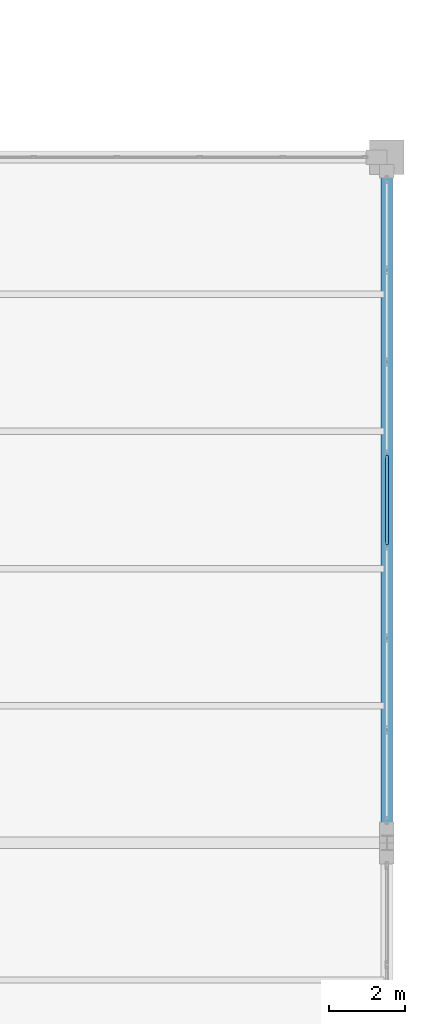
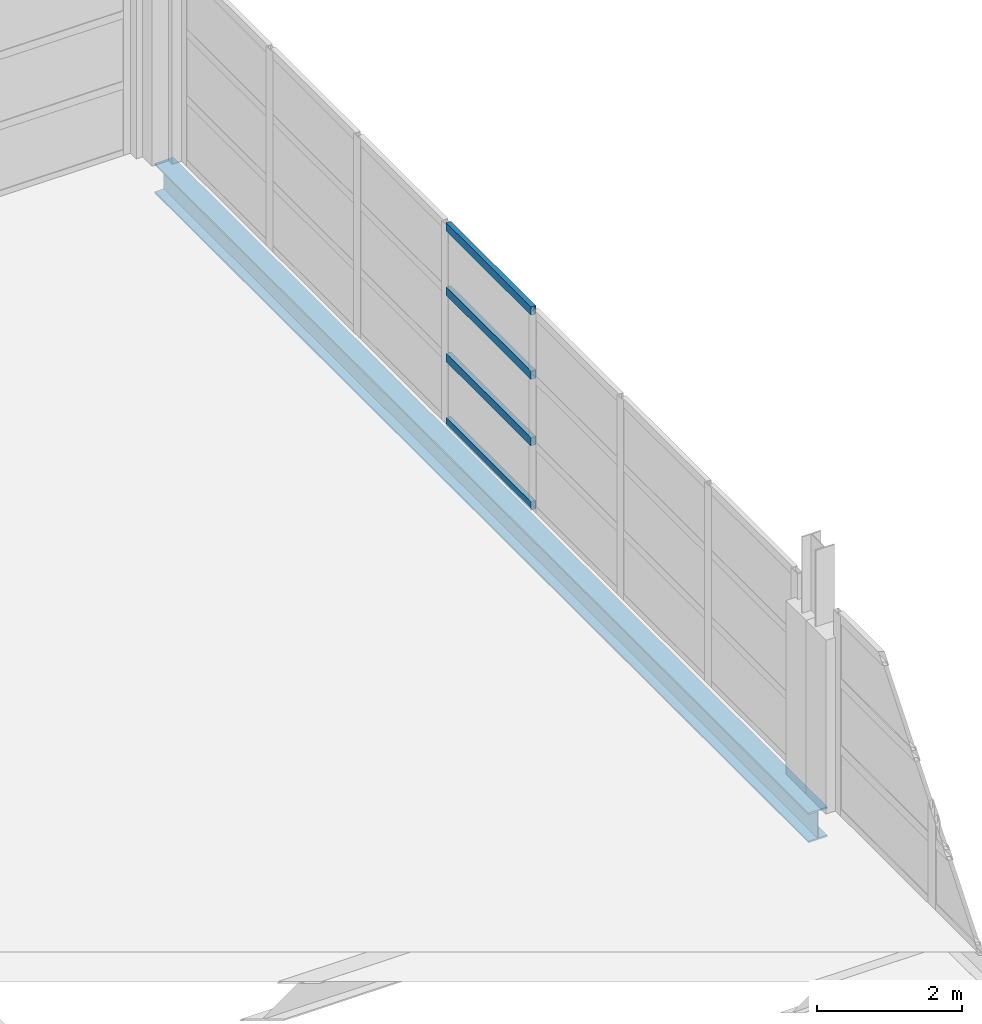
# One storey, part 123 of 158: 4 members, 1 beam, 1 element without a shape of its own.
"""IFC4 building model written with IfcOpenShell, lengths in metres."""

from ifc_helpers import new_model, si_unit, direction, frame, origin, origin_2d, place, context, subcontext, project, spatial, hollow_rectangle, i_section, extrude, material, layer, layer_set, material_profile, profile_set, type_object, element, aggregate, save


model = new_model("IFC4")

# Units and contexts
model_context = context("Model", 3, precision=1e-05, world=origin(), true_north=direction((0.0, 1.0)))
body_context = subcontext(model_context, "Body", "Model", "MODEL_VIEW")
ifc_project = project(units=[si_unit("LENGTHUNIT", "METRE"), si_unit("AREAUNIT", "SQUARE_METRE"), si_unit("VOLUMEUNIT", "CUBIC_METRE"), si_unit("PLANEANGLEUNIT", "RADIAN"), si_unit("MASSUNIT", "GRAM", prefix="KILO")], contexts=[model_context])

# Site, building, storey
site_placement = place(None, origin())
site = spatial("IfcSite", under=ifc_project, at=site_placement, CompositionType="ELEMENT")
building_placement = place(site_placement, origin())
building = spatial("IfcBuilding", under=site, at=building_placement, Name="Zilviju Railside Exhibition Hall", CompositionType="ELEMENT")
storey_placement = place(building_placement, frame((0.0, 0.0, 4.199951171875)))
storey = spatial("IfcBuildingStorey", under=building, at=storey_placement, Name="L02", CompositionType="ELEMENT", Elevation=4.199951171875)

# Beam
ifc_material_1 = material(Name="Steel S355J2", Category="steel")
ifc_material_profile_1 = material_profile(ifc_material_1, i_section(OverallWidth=0.300048828125, OverallDepth=0.5, WebThickness=0.014404296875, FlangeThickness=0.028076171875, at=origin_2d()), Name="HEB 500")
ifc_profile_set_1 = profile_set([ifc_material_profile_1], Name="Steel S355J2")
beam_type = type_object("IfcBeamType", Name="BM-HEB500", PredefinedType="BEAM", material=ifc_profile_set_1)
beam_placement = place(storey_placement, frame((216.0, 120.0, -0.579833984375), z_axis=(0.0, 1.0, 0.0), x_axis=(-1.0, 0.0, 0.0)))
element("IfcBeam", 1, at=beam_placement, inside=storey, type_object=beam_type, Name="Transverse Girder L02 X=216.0 (120.0..138.0)", PredefinedType="BEAM", context=body_context, shape_type="SweptSolid", body=[
    extrude(i_section(OverallWidth=0.300048828125, OverallDepth=0.5, WebThickness=0.014404296875, FlangeThickness=0.028076171875, at=origin_2d()), origin(), (0.0, 0.0, 1.0), 18.0),
])

# Curtain wall, members
ifc_material_2 = material(Name="Thermally broken aluminium-steel triple-glazed curtain wall", Category="steel")
ifc_layer = layer(ifc_material_2, 0.179931640625)
ifc_layer_set = layer_set([ifc_layer], Name="Thermally broken aluminium-steel triple-glazed curtain wall")
curtain_wall_type = type_object("IfcCurtainWallType", Name="CW-BAY-17", PredefinedType="USERDEFINED", material=ifc_layer_set)
curtain_wall_placement = place(storey_placement, origin())
curtain_wall = element("IfcCurtainWall", 2, at=curtain_wall_placement, inside=storey, type_object=curtain_wall_type, Name="North Hall East Glazed Gable L02 (120..138)", ObjectType="GLAZED CURTAIN WALL", PredefinedType="USERDEFINED")
ifc_material_3 = material(Name="Thermally broken anodized aluminium transom", Category="aluminium")
ifc_material_profile_2 = material_profile(ifc_material_3, hollow_rectangle(XDim=0.074951171875, YDim=0.139892578125, WallThickness=0.0048828125, at=origin_2d()), Name="TRANSOM 140x75x5")
ifc_profile_set_2 = profile_set([ifc_material_profile_2], Name="Thermally broken anodized aluminium transom")
member_type = type_object("IfcMemberType", Name="CWT-75x140", PredefinedType="USERDEFINED", material=ifc_profile_set_2)
member_1_placement = place(storey_placement, frame((216.0, 130.169677734375, 0.03759765625), z_axis=(0.0, -1.0, 0.0), x_axis=(1.0, 0.0, 0.0)))
member_1 = element("IfcMember", 3, at=member_1_placement, type_object=member_type, Name="CW-17 transom 4.1", ObjectType="TRANSOM", PredefinedType="USERDEFINED", context=body_context, shape_type="SweptSolid", body=[
    extrude(hollow_rectangle(XDim=0.074951171875, YDim=0.139892578125, WallThickness=0.0048828125, at=origin_2d()), origin(), (0.0, 0.0, 1.0), 2.33935546875),
])
member_2_placement = place(storey_placement, frame((216.0, 130.169677734375, 1.116943359375), z_axis=(0.0, -1.0, 0.0), x_axis=(1.0, 0.0, 0.0)))
member_2 = element("IfcMember", 4, at=member_2_placement, type_object=member_type, Name="CW-17 transom 4.2", ObjectType="TRANSOM", PredefinedType="USERDEFINED", context=body_context, shape_type="SweptSolid", body=[
    extrude(hollow_rectangle(XDim=0.074951171875, YDim=0.139892578125, WallThickness=0.0048828125, at=origin_2d()), origin(), (0.0, 0.0, 1.0), 2.33935546875),
])
member_3_placement = place(storey_placement, frame((216.0, 130.169677734375, 2.233154296875), z_axis=(0.0, -1.0, 0.0), x_axis=(1.0, 0.0, 0.0)))
member_3 = element("IfcMember", 5, at=member_3_placement, type_object=member_type, Name="CW-17 transom 4.3", ObjectType="TRANSOM", PredefinedType="USERDEFINED", context=body_context, shape_type="SweptSolid", body=[
    extrude(hollow_rectangle(XDim=0.074951171875, YDim=0.139892578125, WallThickness=0.0048828125, at=origin_2d()), origin(), (0.0, 0.0, 1.0), 2.33935546875),
])
member_4_placement = place(storey_placement, frame((216.0, 130.169677734375, 3.3125), z_axis=(0.0, -1.0, 0.0), x_axis=(1.0, 0.0, 0.0)))
member_4 = element("IfcMember", 6, at=member_4_placement, type_object=member_type, Name="CW-17 transom 4.4", ObjectType="TRANSOM", PredefinedType="USERDEFINED", context=body_context, shape_type="SweptSolid", body=[
    extrude(hollow_rectangle(XDim=0.074951171875, YDim=0.139892578125, WallThickness=0.0048828125, at=origin_2d()), origin(), (0.0, 0.0, 1.0), 2.33935546875),
])
aggregate(curtain_wall, [member_1, member_2, member_3, member_4])

save(model, "model.ifc")
